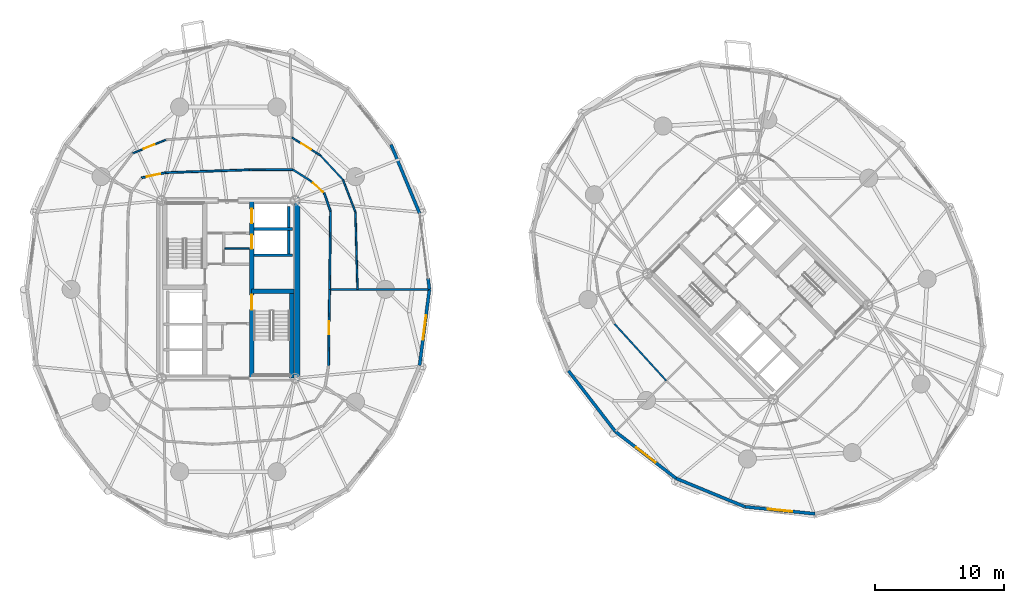
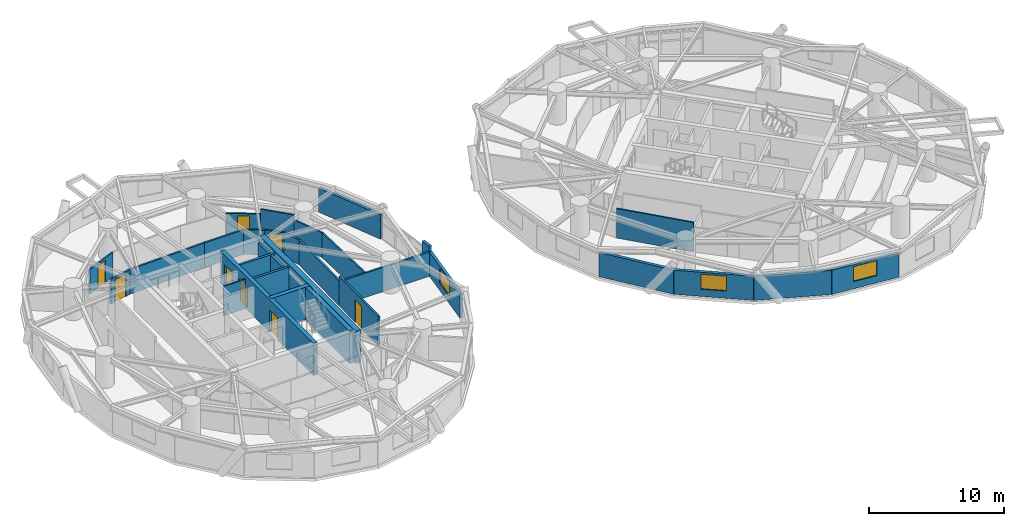
# One storey, part 11 of 17: 31 walls, 8 doors, 3 windows, 11 openings.
"""IFC4 building model written with IfcOpenShell, lengths in metres."""

from ifc_helpers import new_model, si_unit, direction, frame, frame_2d, origin, place, context, subcontext, project, spatial, rectangle, extrude, source, transform, mapped, material, layer, layer_set, type_object, element, fill, save


model = new_model("IFC4")

# Units and contexts
model_context = context("Model", 3, precision=1e-05, world=origin(), true_north=direction((0.0, 1.0)))
body_context = subcontext(model_context, "Body", "Model", "MODEL_VIEW")
ifc_project = project(units=[si_unit("LENGTHUNIT", "METRE"), si_unit("AREAUNIT", "SQUARE_METRE"), si_unit("VOLUMEUNIT", "CUBIC_METRE"), si_unit("PLANEANGLEUNIT", "RADIAN"), si_unit("MASSUNIT", "GRAM", prefix="KILO")], contexts=[model_context])

# Site, building, storey
site_placement = place(None, origin())
site = spatial("IfcSite", under=ifc_project, at=site_placement, CompositionType="ELEMENT")
building_placement = place(site_placement, origin())
building = spatial("IfcBuilding", under=site, at=building_placement, Name="Cununo Teusaquillo Station Towers", CompositionType="ELEMENT")
storey_placement = place(building_placement, frame((0.0, 0.0, 90.52001953125)))
storey = spatial("IfcBuildingStorey", under=building, at=storey_placement, Name="L28", CompositionType="ELEMENT", Elevation=90.52001953125)

# Walls
ifc_material_1 = material(Name="Concrete C50/60", Category="concrete")
ifc_layer_1 = layer(ifc_material_1, 0.199951171875)
ifc_layer_set_1 = layer_set([ifc_layer_1], Name="Concrete C50/60")
wall_type_1 = type_object("IfcWallType", Name="WL-CORE-200", PredefinedType="SHEAR", material=ifc_layer_set_1)
for number, where, z_axis, x_axis, name in (
    (1, (18.510009765625, 27.1298828125, 0.0), (0.0, 0.0, 1.0), (1.0, 0.0, 0.0), "L28 Tower A Low-Rise Lift Hoistway South Shear Wall"),
    (2, (18.510009765625, 29.175048828125, 0.0), (0.0, 0.0, 1.0), (1.0, 0.0, 0.0), "L28 Tower A Low-Rise Lift Hoistway Divider Shear Wall"),
):
    element("IfcWall", number, at=place(storey_placement, frame(where, z_axis=z_axis, x_axis=x_axis)), inside=storey, type_object=wall_type_1, Name=name, PredefinedType="SHEAR", context=body_context, shape_type="SweptSolid", body=[
        extrude(rectangle(XDim=2.969970703125, YDim=0.199951171875, at=frame_2d((1.48486328125, 0.0))), origin(), (0.0, 0.0, 1.0), 2.909912109375),
    ])
wall_1_placement = place(storey_placement, frame((21.179931640625, 27.25, 0.0), z_axis=(0.0, 0.0, 1.0), x_axis=(0.0, 1.0, 0.0)))
element("IfcWall", 3, at=wall_1_placement, inside=storey, type_object=wall_type_1, Name="L28 Tower A Low-Rise Lift 1 Shaft Rear Shear Wall", PredefinedType="SHEAR", context=body_context, shape_type="SweptSolid", body=[
    extrude(rectangle(XDim=1.804931640625, YDim=0.199951171875, at=frame_2d((0.90234375, 0.0))), origin(), (0.0, 0.0, 1.0), 2.909912109375),
])
wall_2_placement = place(storey_placement, frame((21.179931640625, 29.294921875, 0.0), z_axis=(0.0, 0.0, 1.0), x_axis=(0.0, 1.0, 0.0)))
element("IfcWall", 4, at=wall_2_placement, inside=storey, type_object=wall_type_1, Name="L28 Tower A Low-Rise Lift 2 Shaft Rear Shear Wall", PredefinedType="SHEAR", context=body_context, shape_type="SweptSolid", body=[
    extrude(rectangle(XDim=1.635009765625, YDim=0.199951171875, at=frame_2d((0.8173828125, 0.0))), origin(), (0.0, 0.0, 1.0), 2.909912109375),
])

# Wall, openings, doors
ifc_material_2 = material(Name="Concrete C50/60", Category="concrete")
ifc_layer_2 = layer(ifc_material_2, 0.35009765625)
ifc_layer_set_2 = layer_set([ifc_layer_2], Name="Concrete C50/60")
wall_type_2 = type_object("IfcWallType", Name="WL-CORE-350", PredefinedType="SHEAR", material=ifc_layer_set_2)
wall_3_placement = place(storey_placement, frame((18.31494140625, 17.625, 0.0), z_axis=(0.0, 0.0, 1.0), x_axis=(0.0, 1.0, 0.0)))
wall_3 = element("IfcWall", 5, at=wall_3_placement, inside=storey, type_object=wall_type_2, Name="L28 Tower A Core Shear Wall IE", PredefinedType="SHEAR", context=body_context, shape_type="SweptSolid", body=[
    extrude(rectangle(XDim=13.75, YDim=0.35009765625, at=frame_2d((6.875, 0.0))), origin(), (0.0, 0.0, 1.0), 2.909912109375),
])
shared_shape_1 = source(origin(), body_context, "Body", "SweptSolid", [
    extrude(rectangle(XDim=1.10009765625, YDim=2.014892578125, at=frame_2d((0.550048828125, 1.00732421875))), frame((0.0, 0.18505859375, 0.0), z_axis=(0.0, -1.0, 0.0), x_axis=(1.0, 0.0, 0.0)), (0.0, 0.0, 1.0), 0.3701171875),
])
opening_1_placement = place(wall_3_placement, frame((10.0, 0.0, 0.0)))
opening_1 = element("IfcOpeningElement", 6, at=opening_1_placement, cuts=wall_3, Name="Opening LD-01", PredefinedType="OPENING", context=body_context, shape_type="MappedRepresentation", body=[
    mapped(shared_shape_1, transform((0.0, 0.0, 0.0), x_axis=(1.0, 0.0, 0.0), y_axis=(0.0, 1.0, 0.0), z_axis=(0.0, 0.0, 1.0), scale=1.0)),
])
opening_2_placement = place(wall_3_placement, frame((12.0, 0.0, 0.0)))
opening_2 = element("IfcOpeningElement", 7, at=opening_2_placement, cuts=wall_3, Name="Opening LD-01", PredefinedType="OPENING", context=body_context, shape_type="MappedRepresentation", body=[
    mapped(shared_shape_1, transform((0.0, 0.0, 0.0), x_axis=(1.0, 0.0, 0.0), y_axis=(0.0, 1.0, 0.0), z_axis=(0.0, 0.0, 1.0), scale=1.0)),
])
shared_shape_2 = source(origin(), body_context, "Body", "SweptSolid", [
    extrude(rectangle(XDim=1.14990234375, YDim=2.02001953125, at=frame_2d((0.574951171875, 1.010009765625))), frame((0.0, 0.18505859375, 0.0), z_axis=(0.0, -1.0, 0.0), x_axis=(1.0, 0.0, 0.0)), (0.0, 0.0, 1.0), 0.3701171875),
])
opening_3_placement = place(wall_3_placement, frame((5.304931640625, 0.0, 0.0)))
opening_3 = element("IfcOpeningElement", 8, at=opening_3_placement, cuts=wall_3, Name="Opening D-ST1", PredefinedType="OPENING", context=body_context, shape_type="MappedRepresentation", body=[
    mapped(shared_shape_2, transform((0.0, 0.0, 0.0), x_axis=(1.0, 0.0, 0.0), y_axis=(0.0, 1.0, 0.0), z_axis=(0.0, 0.0, 1.0), scale=1.0)),
])
ifc_material_3 = material(Name="Galvanised fire-rated hollow steel door assembly", Category="steel")
door_type_1 = type_object("IfcDoorType", Name="DR-LIFT-1100", OperationType="SLIDING_TO_LEFT", PredefinedType="DOOR", material=ifc_material_3)
shared_shape_3 = source(origin(), body_context, "Body", "SweptSolid", [
    extrude(rectangle(XDim=1.10009765625, YDim=2.014892578125, at=frame_2d((0.550048828125, 1.00732421875))), frame((0.0, 0.02490234375, 0.0), z_axis=(0.0, -1.0, 0.0), x_axis=(1.0, 0.0, 0.0)), (0.0, 0.0, 1.0), 0.050048828125),
])
door_1_placement = place(opening_1_placement, origin())
door_1 = element("IfcDoor", 9, at=door_1_placement, inside=storey, type_object=door_type_1, Name="L28 Lift PL-T1-L1 Sliding Landing Door", OperationType="SLIDING_TO_LEFT", OverallHeight=2.014892578125, OverallWidth=1.10009765625, PredefinedType="DOOR", context=body_context, shape_type="MappedRepresentation", body=[
    mapped(shared_shape_3, transform((0.0, 0.0, 0.0), x_axis=(1.0, 0.0, 0.0), y_axis=(0.0, 1.0, 0.0), z_axis=(0.0, 0.0, 1.0), scale=1.0)),
])
fill(opening_1, door_1)
door_2_placement = place(opening_2_placement, origin())
door_2 = element("IfcDoor", 10, at=door_2_placement, inside=storey, type_object=door_type_1, Name="L28 Lift PL-T1-L2 Sliding Landing Door", OperationType="SLIDING_TO_RIGHT", OverallHeight=2.014892578125, OverallWidth=1.10009765625, PredefinedType="DOOR", context=body_context, shape_type="MappedRepresentation", body=[
    mapped(shared_shape_3, transform((0.0, 0.0, 0.0), x_axis=(1.0, 0.0, 0.0), y_axis=(0.0, 1.0, 0.0), z_axis=(0.0, 0.0, 1.0), scale=1.0)),
])
fill(opening_2, door_2)
ifc_material_4 = material(Name="Galvanised fire-rated hollow steel door assembly", Category="steel")
door_type_2 = type_object("IfcDoorType", Name="DR-STAIR-1150", OperationType="NOTDEFINED", PredefinedType="DOOR", material=ifc_material_4)
shared_shape_4 = source(origin(), body_context, "Body", "SweptSolid", [
    extrude(rectangle(XDim=1.14990234375, YDim=2.02001953125, at=frame_2d((0.574951171875, 1.010009765625))), frame((0.0, 0.02490234375, 0.0), z_axis=(0.0, -1.0, 0.0), x_axis=(1.0, 0.0, 0.0)), (0.0, 0.0, 1.0), 0.050048828125),
])
door_3_placement = place(opening_3_placement, origin())
door_3 = element("IfcDoor", 11, at=door_3_placement, inside=storey, type_object=door_type_2, Name="L28 Tower A Exit Stair 2 Fire Door", OperationType="SINGLE_SWING_LEFT", OverallHeight=2.02001953125, OverallWidth=1.14990234375, PredefinedType="DOOR", context=body_context, shape_type="MappedRepresentation", body=[
    mapped(shared_shape_4, transform((0.0, 0.0, 0.0), x_axis=(1.0, 0.0, 0.0), y_axis=(0.0, 1.0, 0.0), z_axis=(0.0, 0.0, 1.0), scale=1.0)),
])
fill(opening_3, door_3)

# Walls
wall_4_placement = place(storey_placement, frame((21.405029296875, 17.625, 0.0), z_axis=(0.0, 0.0, 1.0), x_axis=(0.0, 1.0, 0.0)))
element("IfcWall", 12, at=wall_4_placement, inside=storey, type_object=wall_type_2, Name="L28 Tower A Core Shear Wall ST2E", PredefinedType="SHEAR", context=body_context, shape_type="SweptSolid", body=[
    extrude(rectangle(XDim=6.719970703125, YDim=0.35009765625, at=frame_2d((3.35986328125, 0.0))), origin(), (0.0, 0.0, 1.0), 2.909912109375),
])
wall_5_placement = place(storey_placement, frame((18.31494140625, 24.344970703125, 0.0), z_axis=(0.0, 0.0, 1.0), x_axis=(1.0, 0.0, 0.0)))
element("IfcWall", 13, at=wall_5_placement, inside=storey, type_object=wall_type_2, Name="L28 Tower A Core Shear Wall ST2N", PredefinedType="SHEAR", context=body_context, shape_type="SweptSolid", body=[
    extrude(rectangle(XDim=3.28515625, YDim=0.35009765625, at=frame_2d((1.642578125, 0.0))), origin(), (0.0, 0.0, 1.0), 2.909912109375),
])
ifc_material_5 = material(Name="Concrete C60/75", Category="concrete")
ifc_layer_3 = layer(ifc_material_5, 0.449951171875)
ifc_layer_set_3 = layer_set([ifc_layer_3], Name="Concrete C60/75")
wall_type_3 = type_object("IfcWallType", Name="WL-CORE-450", PredefinedType="SHEAR", material=ifc_layer_set_3)
wall_6_placement = place(storey_placement, frame((21.85009765625, 17.39990234375, 0.0), z_axis=(0.0, 0.0, 1.0), x_axis=(0.0, 1.0, 0.0)))
element("IfcWall", 14, at=wall_6_placement, inside=storey, type_object=wall_type_3, Name="L28 Tower A Core Shear Wall E", PredefinedType="SHEAR", context=body_context, shape_type="SweptSolid", body=[
    extrude(rectangle(XDim=14.2001953125, YDim=0.449951171875, at=frame_2d((7.10009765625, 0.0))), origin(), (0.0, 0.0, 1.0), 2.909912109375),
])
ifc_material_6 = material(Name="Precast concrete C40/50", Category="concrete")
ifc_layer_4 = layer(ifc_material_6, 0.239990234375)
ifc_layer_set_4 = layer_set([ifc_layer_4], Name="Precast concrete C40/50")
wall_type_4 = type_object("IfcWallType", Name="WL-EXT-240", PredefinedType="SOLIDWALL", material=ifc_layer_set_4)
wall_7_placement = place(storey_placement, frame((31.96923828125, 25.36279296875, 0.0), z_axis=(0.0, 0.0, 1.0), x_axis=(0.128523364007, -0.991706481225, 0.0)))
element("IfcWall", 15, at=wall_7_placement, inside=storey, type_object=wall_type_4, Name="L28 Tower A Column Pier Cladding Wall C00-PB", PredefinedType="SOLIDWALL", context=body_context, shape_type="SweptSolid", body=[
    extrude(rectangle(XDim=0.8701171875, YDim=0.239990234375, at=frame_2d((0.43505859375, 0.0))), origin(), (0.0, 0.0, 1.0), 2.655029296875),
])
wall_8_placement = place(storey_placement, frame((29.105224609375, 35.708984375, 0.0), z_axis=(0.0, 0.0, 1.0), x_axis=(0.384344417632, -0.923189779317, 0.0)))
element("IfcWall", 16, at=wall_8_placement, inside=storey, type_object=wall_type_4, Name="L28 Tower A Exterior Facade Wall C01", PredefinedType="SOLIDWALL", context=body_context, shape_type="SweptSolid", body=[
    extrude(rectangle(XDim=5.75830078125, YDim=0.239990234375, at=frame_2d((2.879150390625, 0.0))), origin(), (0.0, 0.0, 1.0), 2.178955078125),
])

# Wall, opening, window
wall_9_placement = place(storey_placement, frame((32.0810546875, 24.5, 0.0), z_axis=(0.0, 0.0, 1.0), x_axis=(-0.128351991996, -0.991728675672, 0.0)))
wall_9 = element("IfcWall", 17, at=wall_9_placement, inside=storey, type_object=wall_type_4, Name="L28 Tower A Exterior Facade Wall C19", PredefinedType="SOLIDWALL", context=body_context, shape_type="SweptSolid", body=[
    extrude(rectangle(XDim=5.942138671875, YDim=0.239990234375, at=frame_2d((2.97119140625, 0.0))), origin(), (0.0, 0.0, 1.0), 2.178955078125),
])
shared_shape_5 = source(origin(), body_context, "Body", "SweptSolid", [
    extrude(rectangle(XDim=1.89990234375, YDim=1.35009765625, at=frame_2d((0.949951171875, 0.675048828125))), frame((0.0, 0.1298828125, 0.0), z_axis=(0.0, -1.0, 0.0), x_axis=(1.0, 0.0, 0.0)), (0.0, 0.0, 1.0), 0.260009765625),
])
opening_4_placement = place(wall_9_placement, frame((2.02099609375, 0.0, 0.64990234375)))
opening_4 = element("IfcOpeningElement", 18, at=opening_4_placement, cuts=wall_9, Name="Opening WN-02", PredefinedType="OPENING", context=body_context, shape_type="MappedRepresentation", body=[
    mapped(shared_shape_5, transform((0.0, 0.0, 0.0), x_axis=(1.0, 0.0, 0.0), y_axis=(0.0, 1.0, 0.0), z_axis=(0.0, 0.0, 1.0), scale=1.0)),
])
ifc_material_7 = material(Name="Operable acoustic tinted low-E double glazing", Category="glass")
window_type = type_object("IfcWindowType", Name="WIN-OPER-1900", PartitioningType="DOUBLE_PANEL_VERTICAL", PredefinedType="WINDOW", material=ifc_material_7)
shared_shape_6 = source(origin(), body_context, "Body", "SweptSolid", [
    extrude(rectangle(XDim=1.89990234375, YDim=1.35009765625, at=frame_2d((0.949951171875, 0.675048828125))), frame((0.0, 0.030029296875, 0.0), z_axis=(0.0, -1.0, 0.0), x_axis=(1.0, 0.0, 0.0)), (0.0, 0.0, 1.0), 0.06005859375),
])
window_1_placement = place(opening_4_placement, origin())
window_1 = element("IfcWindow", 19, at=window_1_placement, inside=storey, type_object=window_type, Name="L28 Tower A Facade Window C19", OverallHeight=1.35009765625, OverallWidth=1.89990234375, PartitioningType="DOUBLE_PANEL_VERTICAL", PredefinedType="WINDOW", context=body_context, shape_type="MappedRepresentation", body=[
    mapped(shared_shape_6, transform((0.0, 0.0, 0.0), x_axis=(1.0, 0.0, 0.0), y_axis=(0.0, 1.0, 0.0), z_axis=(0.0, 0.0, 1.0), scale=1.0)),
])
fill(opening_4, window_1)

# Wall
wall_10_placement = place(storey_placement, frame((46.482666015625, 13.482666015625, 0.0), z_axis=(0.0, 0.0, 1.0), x_axis=(-0.61054437102, 0.791982052206, 0.0)))
element("IfcWall", 20, at=wall_10_placement, inside=storey, type_object=wall_type_4, Name="L28 Tower B Exterior Facade Wall C09", PredefinedType="SOLIDWALL", context=body_context, shape_type="SweptSolid", body=[
    extrude(rectangle(XDim=5.942138671875, YDim=0.239990234375, at=frame_2d((2.97119140625, 0.0))), origin(), (0.0, 0.0, 1.0), 2.178955078125),
])

# Wall, opening, window
wall_11_placement = place(storey_placement, frame((51.188720703125, 9.854736328125, 0.0), z_axis=(0.0, 0.0, 1.0), x_axis=(-0.791982052206, 0.61054437102, 0.0)))
wall_11 = element("IfcWall", 21, at=wall_11_placement, inside=storey, type_object=wall_type_4, Name="L28 Tower B Exterior Facade Wall C10", PredefinedType="SOLIDWALL", context=body_context, shape_type="SweptSolid", body=[
    extrude(rectangle(XDim=5.942138671875, YDim=0.239990234375, at=frame_2d((2.97119140625, 0.0))), origin(), (0.0, 0.0, 1.0), 2.178955078125),
])
opening_5_placement = place(wall_11_placement, frame((2.02099609375, 0.0, 0.64990234375)))
opening_5 = element("IfcOpeningElement", 22, at=opening_5_placement, cuts=wall_11, Name="Opening WN-02", PredefinedType="OPENING", context=body_context, shape_type="MappedRepresentation", body=[
    mapped(shared_shape_5, transform((0.0, 0.0, 0.0), x_axis=(1.0, 0.0, 0.0), y_axis=(0.0, 1.0, 0.0), z_axis=(0.0, 0.0, 1.0), scale=1.0)),
])
window_2_placement = place(opening_5_placement, origin())
window_2 = element("IfcWindow", 23, at=window_2_placement, inside=storey, type_object=window_type, Name="L28 Tower B Facade Window C10", OverallHeight=1.35009765625, OverallWidth=1.89990234375, PartitioningType="DOUBLE_PANEL_VERTICAL", PredefinedType="WINDOW", context=body_context, shape_type="MappedRepresentation", body=[
    mapped(shared_shape_6, transform((0.0, 0.0, 0.0), x_axis=(1.0, 0.0, 0.0), y_axis=(0.0, 1.0, 0.0), z_axis=(0.0, 0.0, 1.0), scale=1.0)),
])
fill(opening_5, window_2)

# Wall
wall_12_placement = place(storey_placement, frame((56.5126953125, 7.66064453125, 0.0), z_axis=(0.0, 0.0, 1.0), x_axis=(-0.924563909604, 0.381027003055, 0.0)))
element("IfcWall", 24, at=wall_12_placement, inside=storey, type_object=wall_type_4, Name="L28 Tower B Exterior Facade Wall C11", PredefinedType="SOLIDWALL", context=body_context, shape_type="SweptSolid", body=[
    extrude(rectangle(XDim=5.75830078125, YDim=0.239990234375, at=frame_2d((2.879150390625, 0.0))), origin(), (0.0, 0.0, 1.0), 2.178955078125),
])

# Wall, opening, window
wall_13_placement = place(storey_placement, frame((61.933349609375, 7.114990234375, 0.0), z_axis=(0.0, 0.0, 1.0), x_axis=(-0.994971754311, 0.10015591906, 0.0)))
wall_13 = element("IfcWall", 25, at=wall_13_placement, inside=storey, type_object=wall_type_4, Name="L28 Tower B Exterior Facade Wall C12", PredefinedType="SOLIDWALL", context=body_context, shape_type="SweptSolid", body=[
    extrude(rectangle(XDim=5.447998046875, YDim=0.239990234375, at=frame_2d((2.72412109375, 0.0))), origin(), (0.0, 0.0, 1.0), 2.178955078125),
])
opening_6_placement = place(wall_13_placement, frame((1.77392578125, 0.0, 0.64990234375)))
opening_6 = element("IfcOpeningElement", 26, at=opening_6_placement, cuts=wall_13, Name="Opening WN-02", PredefinedType="OPENING", context=body_context, shape_type="MappedRepresentation", body=[
    mapped(shared_shape_5, transform((0.0, 0.0, 0.0), x_axis=(1.0, 0.0, 0.0), y_axis=(0.0, 1.0, 0.0), z_axis=(0.0, 0.0, 1.0), scale=1.0)),
])
window_3_placement = place(opening_6_placement, origin())
window_3 = element("IfcWindow", 27, at=window_3_placement, inside=storey, type_object=window_type, Name="L28 Tower B Facade Window C12", OverallHeight=1.35009765625, OverallWidth=1.89990234375, PartitioningType="DOUBLE_PANEL_VERTICAL", PredefinedType="WINDOW", context=body_context, shape_type="MappedRepresentation", body=[
    mapped(shared_shape_6, transform((0.0, 0.0, 0.0), x_axis=(1.0, 0.0, 0.0), y_axis=(0.0, 1.0, 0.0), z_axis=(0.0, 0.0, 1.0), scale=1.0)),
])
fill(opening_6, window_3)

# Walls
ifc_material_8 = material(Name="Fire-rated gypsum plasterboard partition assembly", Category="gypsum")
ifc_layer_5 = layer(ifc_material_8, 0.125)
ifc_layer_set_5 = layer_set([ifc_layer_5], Name="Fire-rated gypsum plasterboard partition assembly")
wall_type_5 = type_object("IfcWallType", Name="WL-PART-125", PredefinedType="PARTITIONING", material=ifc_layer_set_5)
wall_14_placement = place(storey_placement, frame((16.239990234375, 27.64990234375, 0.0), z_axis=(0.0, 0.0, 1.0), x_axis=(1.0, 0.0, 0.0)))
element("IfcWall", 28, at=wall_14_placement, inside=storey, type_object=wall_type_5, Name="L28 Tower A Core Horizontal Split Wall", PredefinedType="PARTITIONING", context=body_context, shape_type="SweptSolid", body=[
    extrude(rectangle(XDim=1.880126953125, YDim=0.125, at=frame_2d((0.93994140625, 0.0))), origin(), (0.0, 0.0, 1.0), 2.655029296875),
])
wall_15_placement = place(storey_placement, frame((26.509033203125, 24.5, 0.0), z_axis=(0.0, 0.0, 1.0), x_axis=(-0.027112670792, 0.99963238397, 0.0)))
element("IfcWall", 29, at=wall_15_placement, inside=storey, type_object=wall_type_5, Name="L28 Tower A Digital Engineering Open Workplace Concentric Partition Wall C00", PredefinedType="PARTITIONING", context=body_context, shape_type="SweptSolid", body=[
    extrude(rectangle(XDim=6.006103515625, YDim=0.125, at=frame_2d((3.0029296875, 0.0))), origin(), (0.0, 0.0, 1.0), 2.22509765625),
])
wall_16_placement = place(storey_placement, frame((26.34619140625, 30.50390625, 0.0), z_axis=(0.0, 0.0, 1.0), x_axis=(-0.362402208915, 0.932021801769, 0.0)))
element("IfcWall", 30, at=wall_16_placement, inside=storey, type_object=wall_type_5, Name="L28 Tower A Digital Engineering Open Workplace Concentric Partition Wall C01", PredefinedType="PARTITIONING", context=body_context, shape_type="SweptSolid", body=[
    extrude(rectangle(XDim=2.674560546875, YDim=0.125, at=frame_2d((1.33740234375, 0.0))), origin(), (0.0, 0.0, 1.0), 2.22509765625),
])
wall_17_placement = place(storey_placement, frame((25.376953125, 32.99658203125, 0.0), z_axis=(0.0, 0.0, 1.0), x_axis=(-0.680516524321, 0.732732734445, 0.0)))
element("IfcWall", 31, at=wall_17_placement, inside=storey, type_object=wall_type_5, Name="L28 Tower A Digital Engineering Open Workplace Concentric Partition Wall C02", PredefinedType="PARTITIONING", context=body_context, shape_type="SweptSolid", body=[
    extrude(rectangle(XDim=2.576171875, YDim=0.125, at=frame_2d((1.2880859375, 0.0))), origin(), (0.0, 0.0, 1.0), 2.655029296875),
])

# Wall, opening, door
wall_18_placement = place(storey_placement, frame((23.623779296875, 34.88427734375, 0.0), z_axis=(0.0, 0.0, 1.0), x_axis=(-0.84728326465, 0.531141289531, 0.0)))
wall_18 = element("IfcWall", 32, at=wall_18_placement, inside=storey, type_object=wall_type_5, Name="L28 Tower A Digital Engineering Open Workplace Concentric Partition Wall C03", PredefinedType="PARTITIONING", context=body_context, shape_type="SweptSolid", body=[
    extrude(rectangle(XDim=2.5732421875, YDim=0.125, at=frame_2d((1.28662109375, 0.0))), origin(), (0.0, 0.0, 1.0), 2.22509765625),
])
shared_shape_7 = source(origin(), body_context, "Body", "SweptSolid", [
    extrude(rectangle(XDim=0.89990234375, YDim=2.0048828125, at=frame_2d((0.449951171875, 1.00244140625))), frame((0.0, 0.072509765625, 0.0), z_axis=(0.0, -1.0, 0.0), x_axis=(1.0, 0.0, 0.0)), (0.0, 0.0, 1.0), 0.14501953125),
])
opening_7_placement = place(wall_18_placement, frame((0.83642578125, 0.0, 0.0)))
opening_7 = element("IfcOpeningElement", 33, at=opening_7_placement, cuts=wall_18, Name="Opening D-IN1", PredefinedType="OPENING", context=body_context, shape_type="MappedRepresentation", body=[
    mapped(shared_shape_7, transform((0.0, 0.0, 0.0), x_axis=(1.0, 0.0, 0.0), y_axis=(0.0, 1.0, 0.0), z_axis=(0.0, 0.0, 1.0), scale=1.0)),
])
ifc_material_9 = material(Name="Acoustic solid-core hardwood leaf assembly", Category="wood")
door_type_3 = type_object("IfcDoorType", Name="DR-INT-900", OperationType="NOTDEFINED", PredefinedType="DOOR", material=ifc_material_9)
shared_shape_8 = source(origin(), body_context, "Body", "SweptSolid", [
    extrude(rectangle(XDim=0.89990234375, YDim=2.0048828125, at=frame_2d((0.449951171875, 1.00244140625))), frame((0.0, 0.02490234375, 0.0), z_axis=(0.0, -1.0, 0.0), x_axis=(1.0, 0.0, 0.0)), (0.0, 0.0, 1.0), 0.050048828125),
])
door_4_placement = place(opening_7_placement, origin())
door_4 = element("IfcDoor", 34, at=door_4_placement, inside=storey, type_object=door_type_3, Name="L28 Tower A Digital Engineering Open Workplace Connecting Door", OperationType="SINGLE_SWING_RIGHT", OverallHeight=2.0048828125, OverallWidth=0.89990234375, PredefinedType="DOOR", context=body_context, shape_type="MappedRepresentation", body=[
    mapped(shared_shape_8, transform((0.0, 0.0, 0.0), x_axis=(1.0, 0.0, 0.0), y_axis=(0.0, 1.0, 0.0), z_axis=(0.0, 0.0, 1.0), scale=1.0)),
])
fill(opening_7, door_4)

wall_19_placement = place(storey_placement, frame((11.661865234375, 36.080810546875, 0.0), z_axis=(0.0, 0.0, 1.0), x_axis=(-0.925664670378, -0.378344972234, 0.0)))
wall_19 = element("IfcWall", 35, at=wall_19_placement, inside=storey, type_object=wall_type_5, Name="L28 Tower A Parametric Prototyping Lab Concentric Partition Wall C06", PredefinedType="PARTITIONING", context=body_context, shape_type="SweptSolid", body=[
    extrude(rectangle(XDim=2.774169921875, YDim=0.125, at=frame_2d((1.38720703125, 0.0))), origin(), (0.0, 0.0, 1.0), 2.22509765625),
])
opening_8_placement = place(wall_19_placement, frame((0.93701171875, 0.0, 0.0)))
opening_8 = element("IfcOpeningElement", 36, at=opening_8_placement, cuts=wall_19, Name="Opening D-IN1", PredefinedType="OPENING", context=body_context, shape_type="MappedRepresentation", body=[
    mapped(shared_shape_7, transform((0.0, 0.0, 0.0), x_axis=(1.0, 0.0, 0.0), y_axis=(0.0, 1.0, 0.0), z_axis=(0.0, 0.0, 1.0), scale=1.0)),
])
door_5_placement = place(opening_8_placement, origin())
door_5 = element("IfcDoor", 37, at=door_5_placement, inside=storey, type_object=door_type_3, Name="L28 Tower A Parametric Prototyping Lab Connecting Door", OperationType="SINGLE_SWING_RIGHT", OverallHeight=2.0048828125, OverallWidth=0.89990234375, PredefinedType="DOOR", context=body_context, shape_type="MappedRepresentation", body=[
    mapped(shared_shape_8, transform((0.0, 0.0, 0.0), x_axis=(1.0, 0.0, 0.0), y_axis=(0.0, 1.0, 0.0), z_axis=(0.0, 0.0, 1.0), scale=1.0)),
])
fill(opening_8, door_5)

# Walls
wall_20_placement = place(storey_placement, frame((46.410400390625, 21.82958984375, 0.0), z_axis=(0.0, 0.0, 1.0), x_axis=(0.6732109009, -0.739450527696, 0.0)))
element("IfcWall", 38, at=wall_20_placement, inside=storey, type_object=wall_type_5, Name="L28 Tower B Client Demo Briefing Gallery Concentric Partition Wall C09", PredefinedType="PARTITIONING", context=body_context, shape_type="SweptSolid", body=[
    extrude(rectangle(XDim=5.959716796875, YDim=0.125, at=frame_2d((2.97998046875, 0.0))), origin(), (0.0, 0.0, 1.0), 2.655029296875),
])
ifc_material_10 = material(Name="Fire-rated gypsum plasterboard partition assembly", Category="gypsum")
ifc_layer_6 = layer(ifc_material_10, 0.14990234375)
ifc_layer_set_6 = layer_set([ifc_layer_6], Name="Fire-rated gypsum plasterboard partition assembly")
wall_type_6 = type_object("IfcWallType", Name="WL-PART-150", PredefinedType="PARTITIONING", material=ifc_layer_set_6)
wall_21_placement = place(storey_placement, frame((24.35009765625, 24.5, 0.0), z_axis=(0.0, 0.0, 1.0), x_axis=(0.011582078845, 0.999932925475, 0.0)))
element("IfcWall", 39, at=wall_21_placement, inside=storey, type_object=wall_type_6, Name="L28 Tower A Corridor Ring Wall C00", PredefinedType="PARTITIONING", context=body_context, shape_type="SweptSolid", body=[
    extrude(rectangle(XDim=6.0498046875, YDim=0.14990234375, at=frame_2d((3.02490234375, 0.0))), origin(), (0.0, 0.0, 1.0), 2.22509765625),
])
wall_22_placement = place(storey_placement, frame((24.420166015625, 30.54931640625, 0.0), z_axis=(0.0, 0.0, 1.0), x_axis=(-0.329071042252, 0.944305167386, 0.0)))
element("IfcWall", 40, at=wall_22_placement, inside=storey, type_object=wall_type_6, Name="L28 Tower A Corridor Ring Wall C01", PredefinedType="PARTITIONING", context=body_context, shape_type="SweptSolid", body=[
    extrude(rectangle(XDim=1.479248046875, YDim=0.14990234375, at=frame_2d((0.73974609375, 0.0))), origin(), (0.0, 0.0, 1.0), 2.22509765625),
])

# Wall, opening, door
wall_23_placement = place(storey_placement, frame((23.933349609375, 31.9462890625, 0.0), z_axis=(0.0, 0.0, 1.0), x_axis=(-0.744529651383, 0.667589393423, 0.0)))
wall_23 = element("IfcWall", 41, at=wall_23_placement, inside=storey, type_object=wall_type_6, Name="L28 Tower A Corridor Ring Wall C02", PredefinedType="PARTITIONING", context=body_context, shape_type="SweptSolid", body=[
    extrude(rectangle(XDim=1.472412109375, YDim=0.14990234375, at=frame_2d((0.736328125, 0.0))), origin(), (0.0, 0.0, 1.0), 2.22509765625),
])
shared_shape_9 = source(origin(), body_context, "Body", "SweptSolid", [
    extrude(rectangle(XDim=1.050048828125, YDim=2.014892578125, at=frame_2d((0.52490234375, 1.00732421875))), frame((0.0, 0.0849609375, 0.0), z_axis=(0.0, -1.0, 0.0), x_axis=(1.0, 0.0, 0.0)), (0.0, 0.0, 1.0), 0.169921875),
])
opening_9_placement = place(wall_23_placement, frame((0.1201171875, 0.0, 0.0)))
opening_9 = element("IfcOpeningElement", 42, at=opening_9_placement, cuts=wall_23, Name="Opening D-SU1", PredefinedType="OPENING", context=body_context, shape_type="MappedRepresentation", body=[
    mapped(shared_shape_9, transform((0.0, 0.0, 0.0), x_axis=(1.0, 0.0, 0.0), y_axis=(0.0, 1.0, 0.0), z_axis=(0.0, 0.0, 1.0), scale=1.0)),
])
ifc_material_11 = material(Name="Acoustic solid-core hardwood leaf assembly", Category="wood")
door_type_4 = type_object("IfcDoorType", Name="DR-SUITE-1050", OperationType="NOTDEFINED", PredefinedType="DOOR", material=ifc_material_11)
shared_shape_10 = source(origin(), body_context, "Body", "SweptSolid", [
    extrude(rectangle(XDim=1.050048828125, YDim=2.014892578125, at=frame_2d((0.52490234375, 1.00732421875))), frame((0.0, 0.02490234375, 0.0), z_axis=(0.0, -1.0, 0.0), x_axis=(1.0, 0.0, 0.0)), (0.0, 0.0, 1.0), 0.050048828125),
])
door_6_placement = place(opening_9_placement, origin())
door_6 = element("IfcDoor", 43, at=door_6_placement, inside=storey, type_object=door_type_4, Name="L28 Tower A Digital Engineering Open Workplace Entrance Door", OperationType="SINGLE_SWING_LEFT", OverallHeight=2.014892578125, OverallWidth=1.050048828125, PredefinedType="DOOR", context=body_context, shape_type="MappedRepresentation", body=[
    mapped(shared_shape_10, transform((0.0, 0.0, 0.0), x_axis=(1.0, 0.0, 0.0), y_axis=(0.0, 1.0, 0.0), z_axis=(0.0, 0.0, 1.0), scale=1.0)),
])
fill(opening_9, door_6)

# Walls
wall_24_placement = place(storey_placement, frame((22.837158203125, 32.92919921875, 0.0), z_axis=(0.0, 0.0, 1.0), x_axis=(-0.84581079329, 0.533482991252, 0.0)))
element("IfcWall", 44, at=wall_24_placement, inside=storey, type_object=wall_type_6, Name="L28 Tower A Corridor Ring Wall C03", PredefinedType="PARTITIONING", context=body_context, shape_type="SweptSolid", body=[
    extrude(rectangle(XDim=1.585205078125, YDim=0.14990234375, at=frame_2d((0.79248046875, 0.0))), origin(), (0.0, 0.0, 1.0), 2.22509765625),
])
wall_25_placement = place(storey_placement, frame((21.496337890625, 33.77490234375, 0.0), z_axis=(0.0, 0.0, 1.0), x_axis=(-0.999989544737, -0.004572790979, 0.0)))
element("IfcWall", 45, at=wall_25_placement, inside=storey, type_object=wall_type_6, Name="L28 Tower A Corridor Ring Wall C04", PredefinedType="PARTITIONING", context=body_context, shape_type="SweptSolid", body=[
    extrude(rectangle(XDim=3.363525390625, YDim=0.14990234375, at=frame_2d((1.681640625, 0.0))), origin(), (0.0, 0.0, 1.0), 2.22509765625),
])
wall_26_placement = place(storey_placement, frame((18.1328125, 33.759521484375, 0.0), z_axis=(0.0, 0.0, 1.0), x_axis=(-0.999419643988, -0.034064280574, 0.0)))
element("IfcWall", 46, at=wall_26_placement, inside=storey, type_object=wall_type_6, Name="L28 Tower A Corridor Ring Wall C05", PredefinedType="PARTITIONING", context=body_context, shape_type="SweptSolid", body=[
    extrude(rectangle(XDim=6.486083984375, YDim=0.14990234375, at=frame_2d((3.2431640625, 0.0))), origin(), (0.0, 0.0, 1.0), 2.22509765625),
])

# Wall, opening, door
wall_27_placement = place(storey_placement, frame((11.650390625, 33.53857421875, 0.0), z_axis=(0.0, 0.0, 1.0), x_axis=(-0.977535921581, -0.210768882949, 0.0)))
wall_27 = element("IfcWall", 47, at=wall_27_placement, inside=storey, type_object=wall_type_6, Name="L28 Tower A Corridor Ring Wall C06", PredefinedType="PARTITIONING", context=body_context, shape_type="SweptSolid", body=[
    extrude(rectangle(XDim=1.9228515625, YDim=0.14990234375, at=frame_2d((0.96142578125, 0.0))), origin(), (0.0, 0.0, 1.0), 2.22509765625),
])
opening_10_placement = place(wall_27_placement, frame((0.436279296875, 0.0, 0.0)))
opening_10 = element("IfcOpeningElement", 48, at=opening_10_placement, cuts=wall_27, Name="Opening D-SU1", PredefinedType="OPENING", context=body_context, shape_type="MappedRepresentation", body=[
    mapped(shared_shape_9, transform((0.0, 0.0, 0.0), x_axis=(1.0, 0.0, 0.0), y_axis=(0.0, 1.0, 0.0), z_axis=(0.0, 0.0, 1.0), scale=1.0)),
])
door_7_placement = place(opening_10_placement, origin())
door_7 = element("IfcDoor", 49, at=door_7_placement, inside=storey, type_object=door_type_4, Name="L28 Tower A Parametric Prototyping Lab Entrance Door", OperationType="SINGLE_SWING_LEFT", OverallHeight=2.014892578125, OverallWidth=1.050048828125, PredefinedType="DOOR", context=body_context, shape_type="MappedRepresentation", body=[
    mapped(shared_shape_10, transform((0.0, 0.0, 0.0), x_axis=(1.0, 0.0, 0.0), y_axis=(0.0, 1.0, 0.0), z_axis=(0.0, 0.0, 1.0), scale=1.0)),
])
fill(opening_10, door_7)

wall_28_placement = place(storey_placement, frame((24.264404296875, 18.56103515625, 0.0), z_axis=(0.0, 0.0, 1.0), x_axis=(0.014427504204, 0.999895918145, 0.0)))
wall_28 = element("IfcWall", 50, at=wall_28_placement, inside=storey, type_object=wall_type_6, Name="L28 Tower A Corridor Ring Wall C19", PredefinedType="PARTITIONING", context=body_context, shape_type="SweptSolid", body=[
    extrude(rectangle(XDim=5.939697265625, YDim=0.14990234375, at=frame_2d((2.9697265625, 0.0))), origin(), (0.0, 0.0, 1.0), 2.655029296875),
])
shared_shape_11 = source(origin(), body_context, "Body", "SweptSolid", [
    extrude(rectangle(XDim=1.0, YDim=2.014892578125, at=frame_2d((0.5, 1.00732421875))), frame((0.0, 0.0849609375, 0.0), z_axis=(0.0, -1.0, 0.0), x_axis=(1.0, 0.0, 0.0)), (0.0, 0.0, 1.0), 0.169921875),
])
opening_11_placement = place(wall_28_placement, frame((2.4697265625, 0.0, 0.0)))
opening_11 = element("IfcOpeningElement", 51, at=opening_11_placement, cuts=wall_28, Name="Opening D-AC1", PredefinedType="OPENING", context=body_context, shape_type="MappedRepresentation", body=[
    mapped(shared_shape_11, transform((0.0, 0.0, 0.0), x_axis=(1.0, 0.0, 0.0), y_axis=(0.0, 1.0, 0.0), z_axis=(0.0, 0.0, 1.0), scale=1.0)),
])
ifc_material_12 = material(Name="Acoustic solid-core hardwood leaf assembly", Category="wood")
door_type_5 = type_object("IfcDoorType", Name="DR-ACC-1000", OperationType="NOTDEFINED", PredefinedType="DOOR", material=ifc_material_12)
shared_shape_12 = source(origin(), body_context, "Body", "SweptSolid", [
    extrude(rectangle(XDim=1.0, YDim=2.014892578125, at=frame_2d((0.5, 1.00732421875))), frame((0.0, 0.02490234375, 0.0), z_axis=(0.0, -1.0, 0.0), x_axis=(1.0, 0.0, 0.0)), (0.0, 0.0, 1.0), 0.050048828125),
])
door_8_placement = place(opening_11_placement, origin())
door_8 = element("IfcDoor", 52, at=door_8_placement, inside=storey, type_object=door_type_5, Name="L28 Tower A Public Accessible Restroom WC Entrance Door", OperationType="SINGLE_SWING_LEFT", OverallHeight=2.014892578125, OverallWidth=1.0, PredefinedType="DOOR", context=body_context, shape_type="MappedRepresentation", body=[
    mapped(shared_shape_12, transform((0.0, 0.0, 0.0), x_axis=(1.0, 0.0, 0.0), y_axis=(0.0, 1.0, 0.0), z_axis=(0.0, 0.0, 1.0), scale=1.0)),
])
fill(opening_11, door_8)

# Wall
ifc_material_13 = material(Name="Fire-rated gypsum plasterboard partition assembly", Category="gypsum")
ifc_layer_7 = layer(ifc_material_13, 0.159912109375)
ifc_layer_set_7 = layer_set([ifc_layer_7], Name="Fire-rated gypsum plasterboard partition assembly")
wall_type_7 = type_object("IfcWallType", Name="WL-PART-160", PredefinedType="PARTITIONING", material=ifc_layer_set_7)
wall_29_placement = place(storey_placement, frame((24.35009765625, 24.5, 0.0), z_axis=(0.0, 0.0, 1.0), x_axis=(1.0, 0.0, 0.0)))
element("IfcWall", 53, at=wall_29_placement, inside=storey, type_object=wall_type_7, Name="L28 Tower A Radial Suite Partition R01", PredefinedType="PARTITIONING", context=body_context, shape_type="SweptSolid", body=[
    extrude(rectangle(XDim=7.7109375, YDim=0.159912109375, at=frame_2d((3.85546875, 0.0))), origin(), (0.0, 0.0, 1.0), 2.178955078125),
])

save(model, "model.ifc")
